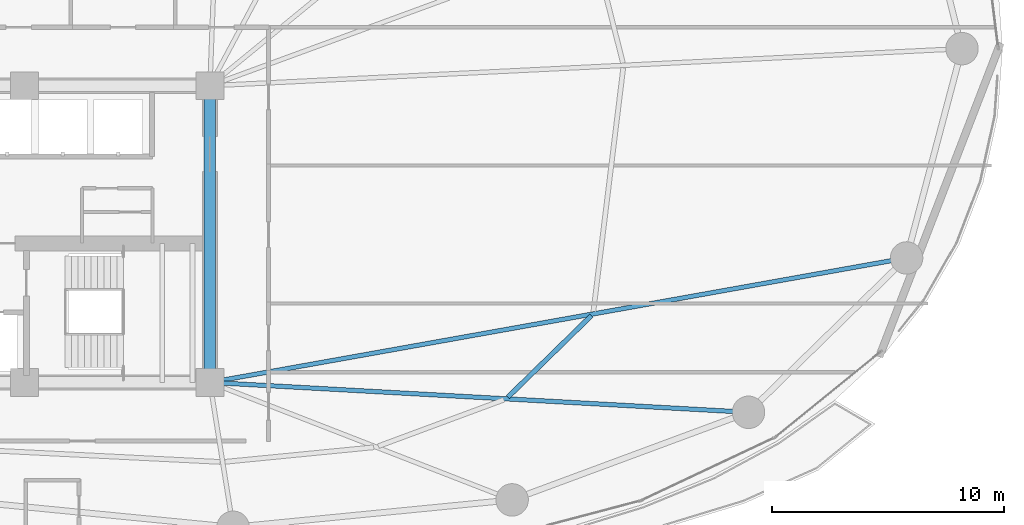
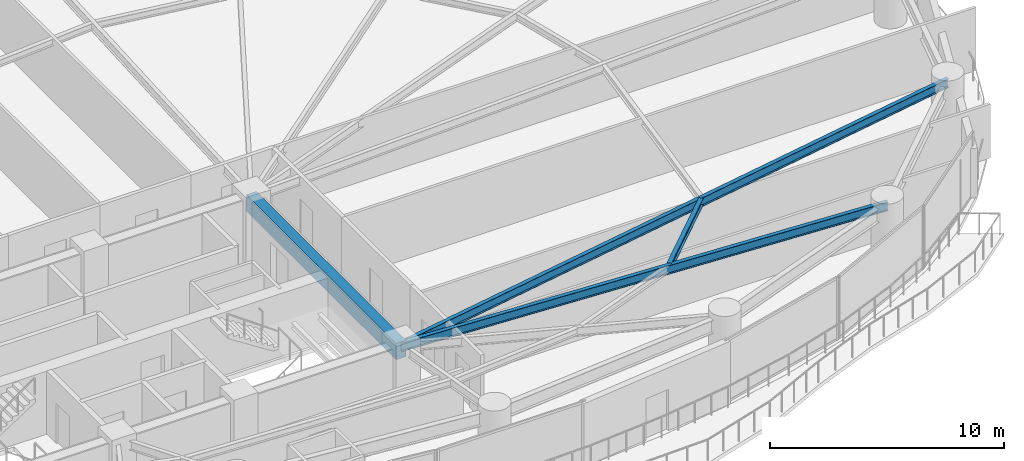
# One storey, part 13 of 30: 4 beams.
"""IFC4 building model written with IfcOpenShell, lengths in metres."""

from ifc_helpers import new_model, si_unit, direction, frame, origin, origin_2d, place, context, subcontext, project, spatial, rectangle, i_section, extrude, material, material_profile, profile_set, type_object, element, save


model = new_model("IFC4")

# Units and contexts
model_context = context("Model", 3, precision=1e-05, world=origin(), true_north=direction((0.0, 1.0)))
body_context = subcontext(model_context, "Body", "Model", "MODEL_VIEW")
ifc_project = project(units=[si_unit("LENGTHUNIT", "METRE"), si_unit("AREAUNIT", "SQUARE_METRE"), si_unit("VOLUMEUNIT", "CUBIC_METRE"), si_unit("PLANEANGLEUNIT", "RADIAN"), si_unit("MASSUNIT", "GRAM", prefix="KILO")], contexts=[model_context])

# Site, building, storey
site_placement = place(None, origin())
site = spatial("IfcSite", under=ifc_project, at=site_placement, CompositionType="ELEMENT")
building_placement = place(site_placement, origin())
building = spatial("IfcBuilding", under=site, at=building_placement, Name="Kazevale Care Tower and Concert Hall", CompositionType="ELEMENT")
storey_placement = place(building_placement, frame((0.0, 0.0, 88.800048828125)))
storey = spatial("IfcBuildingStorey", under=building, at=storey_placement, Name="L23", CompositionType="ELEMENT", Elevation=88.800048828125)

# Beams
ifc_material_1 = material(Name="Concrete C60", Category="concrete")
ifc_material_profile_1 = material_profile(ifc_material_1, rectangle(XDim=0.5, YDim=0.85009765625, at=origin_2d()), Name="RC-B500x850")
ifc_profile_set_1 = profile_set([ifc_material_profile_1], Name="Concrete C60")
beam_type_1 = type_object("IfcBeamType", Name="Core Coupling Beam RC500x850", PredefinedType="LINTEL", material=ifc_profile_set_1)
beam_1_placement = place(storey_placement, frame((44.0, 23.60009765625, 2.85498046875), z_axis=(0.0, 1.0, 0.0), x_axis=(-1.0, 0.0, 0.0)))
element("IfcBeam", 1, at=beam_1_placement, inside=storey, type_object=beam_type_1, Name="beam:L23:coretie:4", PredefinedType="LINTEL", context=body_context, shape_type="SweptSolid", body=[
    extrude(rectangle(XDim=0.5, YDim=0.85009765625, at=origin_2d()), origin(), (0.0, 0.0, 1.0), 12.7998046875),
])
ifc_material_2 = material(Name="Steel ASTM A572 Gr 50", Category="steel")
ifc_material_profile_2 = material_profile(ifc_material_2, i_section(OverallWidth=0.19091796875, OverallDepth=0.4599609375, WebThickness=0.010009765625, FlangeThickness=0.01611328125, at=origin_2d()), Name="W460x82")
ifc_profile_set_2 = profile_set([ifc_material_profile_2], Name="Steel ASTM A572 Gr 50")
beam_type_2 = type_object("IfcBeamType", Name="Radial Floor Beam W460x82", PredefinedType="BEAM", material=ifc_profile_set_2)
beam_2_placement = place(storey_placement, frame((44.0, 23.60009765625, 3.050048828125), z_axis=(0.998462901796, -0.055424125948, 0.0), x_axis=(0.055424125948, 0.998462901796, 0.0)))
element("IfcBeam", 2, at=beam_2_placement, inside=storey, type_object=beam_type_2, Name="beam:L23:rad:15", PredefinedType="BEAM", context=body_context, shape_type="SweptSolid", body=[
    extrude(i_section(OverallWidth=0.19091796875, OverallDepth=0.4599609375, WebThickness=0.010009765625, FlangeThickness=0.01611328125, at=origin_2d()), origin(), (0.0, 0.0, 1.0), 23.27587890625),
])
beam_3_placement = place(storey_placement, frame((44.0, 23.60009765625, 3.050048828125), z_axis=(0.984416208219, 0.175854283415, 0.0), x_axis=(-0.175854283415, 0.984416208219, 0.0)))
element("IfcBeam", 3, at=beam_3_placement, inside=storey, type_object=beam_type_2, Name="beam:L23:rad:16", PredefinedType="BEAM", context=body_context, shape_type="SweptSolid", body=[
    extrude(i_section(OverallWidth=0.19091796875, OverallDepth=0.4599609375, WebThickness=0.010009765625, FlangeThickness=0.01611328125, at=origin_2d()), origin(), (0.0, 0.0, 1.0), 30.535888671875),
])
ifc_material_profile_3 = material_profile(ifc_material_2, i_section(OverallWidth=0.205078125, OverallDepth=0.35400390625, WebThickness=0.009521484375, FlangeThickness=0.016845703125, at=origin_2d()), Name="W360x79")
ifc_profile_set_3 = profile_set([ifc_material_profile_3], Name="Steel ASTM A572 Gr 50")
beam_type_3 = type_object("IfcBeamType", Name="Secondary Floor Joist W360x79", PredefinedType="JOIST", material=ifc_profile_set_3)
beam_4_placement = place(storey_placement, frame((56.85693359375, 22.964111328125, 3.10302734375), z_axis=(0.715521089339, 0.698591132717, 0.0), x_axis=(-0.698591132717, 0.715521089339, 0.0)))
element("IfcBeam", 4, at=beam_4_placement, inside=storey, type_object=beam_type_3, Name="beam:L23:joist:15", PredefinedType="JOIST", context=body_context, shape_type="SweptSolid", body=[
    extrude(i_section(OverallWidth=0.205078125, OverallDepth=0.35400390625, WebThickness=0.009521484375, FlangeThickness=0.016845703125, at=origin_2d()), origin(), (0.0, 0.0, 1.0), 5.03271484375),
])

save(model, "model.ifc")
